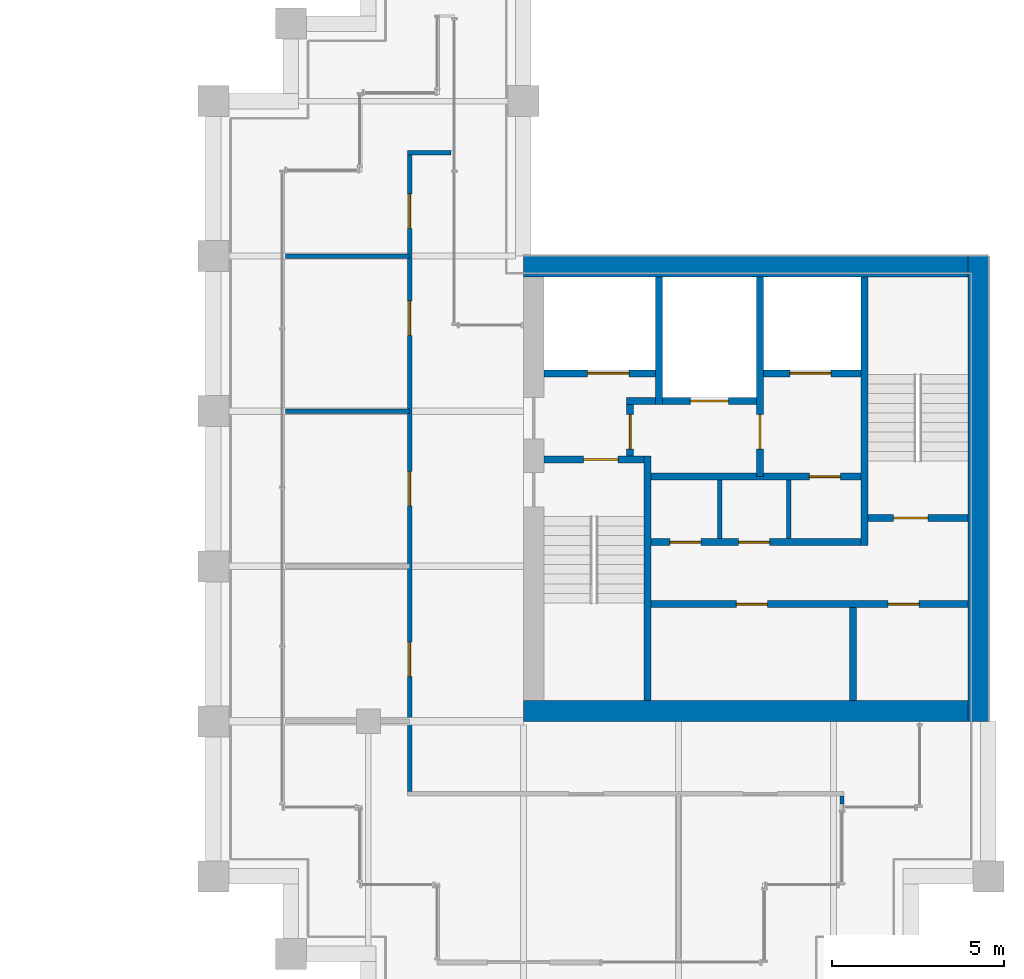
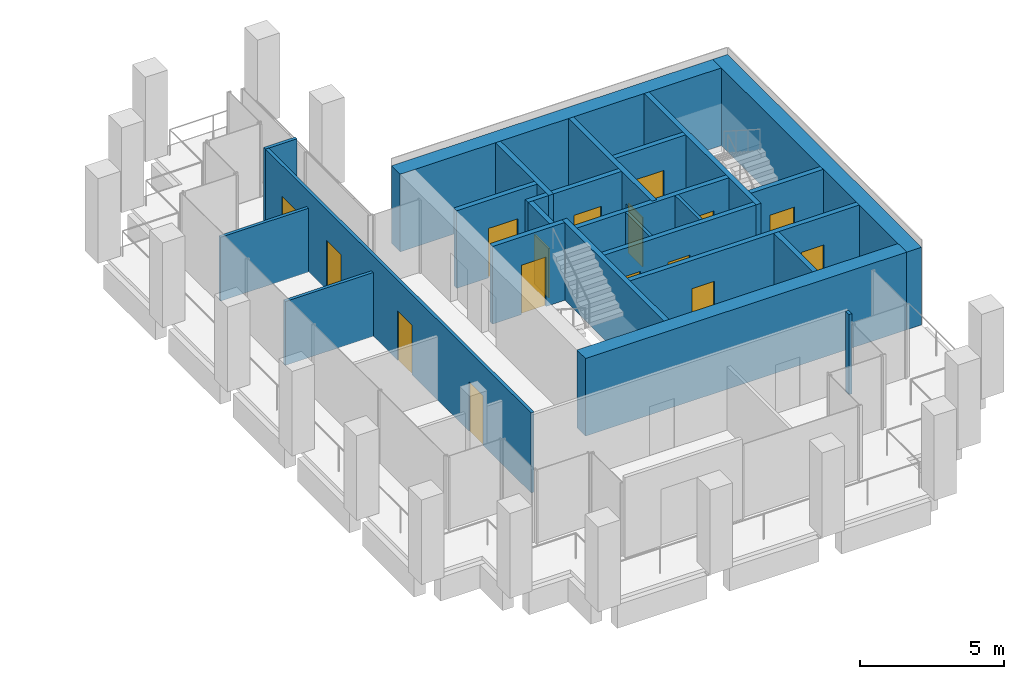
# One storey, part 38 of 40: 25 walls, 16 doors, 16 openings.
"""IFC4 building model written with IfcOpenShell, lengths in metres."""

from ifc_helpers import new_model, si_unit, direction, frame, frame_2d, origin, place, context, subcontext, project, spatial, rectangle, extrude, material, layer, layer_set, type_object, element, fill, save


model = new_model("IFC4")

# Units and contexts
model_context = context("Model", 3, precision=1e-05, world=origin(), true_north=direction((0.0, 1.0)))
body_context = subcontext(model_context, "Body", "Model", "MODEL_VIEW")
ifc_project = project(units=[si_unit("LENGTHUNIT", "METRE"), si_unit("AREAUNIT", "SQUARE_METRE"), si_unit("VOLUMEUNIT", "CUBIC_METRE"), si_unit("PLANEANGLEUNIT", "RADIAN"), si_unit("MASSUNIT", "GRAM", prefix="KILO")], contexts=[model_context])

# Site, building, storey
site_placement = place(None, origin())
site = spatial("IfcSite", under=ifc_project, at=site_placement, CompositionType="ELEMENT")
building_placement = place(site_placement, origin())
building = spatial("IfcBuilding", under=site, at=building_placement, Name="Altepetl Exchange Towers", CompositionType="ELEMENT")
storey_placement = place(building_placement, frame((0.0, 0.0, 187.0)))
storey = spatial("IfcBuildingStorey", under=building, at=storey_placement, Name="L47", CompositionType="ELEMENT", Elevation=187.0)

# Walls
ifc_material_1 = material(Name="Concrete C70/85", Category="concrete")
ifc_layer_1 = layer(ifc_material_1, 0.60009765625)
ifc_layer_set_1 = layer_set([ifc_layer_1], Name="Concrete C70/85")
wall_type_1 = type_object("IfcWallType", Name="Core wall 600 reinforced concrete", PredefinedType="SHEAR", material=ifc_layer_set_1)
wall_1_placement = place(storey_placement, frame((103.5, 36.300048828125, 0.0)))
element("IfcWall", 1, at=wall_1_placement, inside=storey, type_object=wall_type_1, Name="wall:B:L47:K-coreS", PredefinedType="SHEAR", context=body_context, shape_type="SweptSolid", body=[
    extrude(rectangle(XDim=12.89990234375, YDim=0.60009765625, at=frame_2d((6.449951171875, 0.0))), origin(), (0.0, 0.0, 1.0), 3.300048828125),
])
ifc_layer_2 = layer(ifc_material_1, 0.60009765625)
ifc_layer_set_2 = layer_set([ifc_layer_2], Name="Concrete C70/85")
wall_type_2 = type_object("IfcWallType", Name="Core wall 600 reinforced concrete external", PredefinedType="SHEAR", material=ifc_layer_set_2)
wall_2_placement = place(storey_placement, frame((116.699951171875, 36.0, 0.0), z_axis=(0.0, 0.0, 1.0), x_axis=(0.0, 1.0, 0.0)))
element("IfcWall", 2, at=wall_2_placement, inside=storey, type_object=wall_type_2, Name="wall:B:L47:K-coreE", PredefinedType="SHEAR", context=body_context, shape_type="SweptSolid", body=[
    extrude(rectangle(XDim=13.5, YDim=0.60009765625, at=frame_2d((6.75, 0.0))), origin(), (0.0, 0.0, 1.0), 3.300048828125),
])
wall_3_placement = place(storey_placement, frame((103.5, 49.199951171875, 0.0)))
element("IfcWall", 3, at=wall_3_placement, inside=storey, type_object=wall_type_2, Name="wall:B:L47:K-coreN", PredefinedType="SHEAR", context=body_context, shape_type="SweptSolid", body=[
    extrude(rectangle(XDim=12.89990234375, YDim=0.60009765625, at=frame_2d((6.449951171875, 0.0))), origin(), (0.0, 0.0, 1.0), 3.300048828125),
])
ifc_material_2 = material(Name="Concrete blockwork", Category="masonry")
ifc_layer_3 = layer(ifc_material_2, 0.199951171875)
ifc_layer_set_3 = layer_set([ifc_layer_3], Name="Concrete blockwork")
wall_type_3 = type_object("IfcWallType", Name="Lobby wall 200 blockwork", PredefinedType="PARTITIONING", material=ifc_layer_set_3)
wall_4_placement = place(storey_placement, frame((106.5, 45.300048828125, 0.0)))
element("IfcWall", 4, at=wall_4_placement, inside=storey, type_object=wall_type_3, Name="wall:B:L47:K-ffNw", PredefinedType="PARTITIONING", context=body_context, shape_type="SweptSolid", body=[
    extrude(rectangle(XDim=0.833251953125, YDim=0.199951171875, at=frame_2d((0.41650390625, 0.0))), origin(), (0.0, 0.0, 1.0), 3.300048828125),
])

# Wall, opening, door
wall_5_placement = place(storey_placement, frame((106.60009765625, 43.699951171875, 0.0), z_axis=(0.0, 0.0, 1.0), x_axis=(0.0, 1.0, 0.0)))
wall_5 = element("IfcWall", 5, at=wall_5_placement, inside=storey, type_object=wall_type_3, Name="wall:B:L47:K-ffW", PredefinedType="PARTITIONING", context=body_context, shape_type="SweptSolid", body=[
    extrude(rectangle(XDim=1.5, YDim=0.199951171875, at=frame_2d((0.75, 0.0))), origin(), (0.0, 0.0, 1.0), 3.300048828125),
])
opening_1_placement = place(wall_5_placement, frame((0.199951171875, 0.0, 0.0)))
opening_1 = element("IfcOpeningElement", 6, at=opening_1_placement, cuts=wall_5, Name="Opening L47.B65", PredefinedType="OPENING", context=body_context, shape_type="SweptSolid", body=[
    extrude(rectangle(XDim=1.0, YDim=2.10009765625, at=frame_2d((0.5, 1.050048828125))), frame((0.0, 0.10986328125, 0.0), z_axis=(0.0, -1.0, 0.0), x_axis=(1.0, 0.0, 0.0)), (0.0, 0.0, 1.0), 0.219970703125),
])
ifc_material_3 = material(Name="Steel and timber fire door", Category="steel")
door_type_1 = type_object("IfcDoorType", Name="Fire door 1000 x 2100 stair and lobby", OperationType="SINGLE_SWING_LEFT", PredefinedType="DOOR", material=ifc_material_3)
door_1_placement = place(opening_1_placement, frame((1.0, 0.0, 0.0), x_axis=(-1.0, 0.0, 0.0)))
door_1 = element("IfcDoor", 7, at=door_1_placement, inside=storey, type_object=door_type_1, Name="door:B:L47:K-dffW", OperationType="SINGLE_SWING_LEFT", OverallHeight=2.10009765625, OverallWidth=1.0, PredefinedType="DOOR", context=body_context, shape_type="SweptSolid", body=[
    extrude(rectangle(XDim=1.0, YDim=2.10009765625, at=frame_2d((0.5, 1.050048828125))), frame((0.0, 0.02490234375, 0.0), z_axis=(0.0, -1.0, 0.0), x_axis=(1.0, 0.0, 0.0)), (0.0, 0.0, 1.0), 0.050048828125),
])
fill(opening_1, door_1)

wall_6_placement = place(storey_placement, frame((107.199951171875, 43.10009765625, 0.0)))
wall_6 = element("IfcWall", 8, at=wall_6_placement, inside=storey, type_object=wall_type_3, Name="wall:B:L47:K-zoneN", PredefinedType="PARTITIONING", context=body_context, shape_type="SweptSolid", body=[
    extrude(rectangle(XDim=6.10009765625, YDim=0.199951171875, at=frame_2d((3.050048828125, 0.0))), origin(), (0.0, 0.0, 1.0), 3.300048828125),
])
opening_2_placement = place(wall_6_placement, frame((4.60009765625, 0.0, 0.0)))
opening_2 = element("IfcOpeningElement", 9, at=opening_2_placement, cuts=wall_6, Name="Opening L47.B70", PredefinedType="OPENING", context=body_context, shape_type="SweptSolid", body=[
    extrude(rectangle(XDim=0.89990234375, YDim=2.10009765625, at=frame_2d((0.449951171875, 1.050048828125))), frame((0.0, 0.10986328125, 0.0), z_axis=(0.0, -1.0, 0.0), x_axis=(1.0, 0.0, 0.0)), (0.0, 0.0, 1.0), 0.219970703125),
])
door_type_2 = type_object("IfcDoorType", Name="Fire door 900 x 2100 service room", OperationType="SINGLE_SWING_LEFT", PredefinedType="DOOR", material=ifc_material_3)
door_2_placement = place(opening_2_placement, frame((0.89990234375, 0.0, 0.0), x_axis=(-1.0, 0.0, 0.0)))
door_2 = element("IfcDoor", 10, at=door_2_placement, inside=storey, type_object=door_type_2, Name="door:B:L47:K-dz3", OperationType="SINGLE_SWING_LEFT", OverallHeight=2.10009765625, OverallWidth=0.89990234375, PredefinedType="DOOR", context=body_context, shape_type="SweptSolid", body=[
    extrude(rectangle(XDim=0.89990234375, YDim=2.10009765625, at=frame_2d((0.449951171875, 1.050048828125))), frame((0.0, 0.02490234375, 0.0), z_axis=(0.0, -1.0, 0.0), x_axis=(1.0, 0.0, 0.0)), (0.0, 0.0, 1.0), 0.050048828125),
])
fill(opening_2, door_2)

# Wall, openings, doors
wall_7_placement = place(storey_placement, frame((107.199951171875, 41.199951171875, 0.0)))
wall_7 = element("IfcWall", 11, at=wall_7_placement, inside=storey, type_object=wall_type_3, Name="wall:B:L47:K-zoneS", PredefinedType="PARTITIONING", context=body_context, shape_type="SweptSolid", body=[
    extrude(rectangle(XDim=6.10009765625, YDim=0.199951171875, at=frame_2d((3.050048828125, 0.0))), origin(), (0.0, 0.0, 1.0), 3.300048828125),
])
opening_3_placement = place(wall_7_placement, frame((0.550048828125, 0.0, 0.0)))
opening_3 = element("IfcOpeningElement", 12, at=opening_3_placement, cuts=wall_7, Name="Opening L47.B68", PredefinedType="OPENING", context=body_context, shape_type="SweptSolid", body=[
    extrude(rectangle(XDim=0.89990234375, YDim=2.10009765625, at=frame_2d((0.449951171875, 1.050048828125))), frame((0.0, 0.10986328125, 0.0), z_axis=(0.0, -1.0, 0.0), x_axis=(1.0, 0.0, 0.0)), (0.0, 0.0, 1.0), 0.219970703125),
])
opening_4_placement = place(wall_7_placement, frame((2.550048828125, 0.0, 0.0)))
opening_4 = element("IfcOpeningElement", 13, at=opening_4_placement, cuts=wall_7, Name="Opening L47.B69", PredefinedType="OPENING", context=body_context, shape_type="SweptSolid", body=[
    extrude(rectangle(XDim=0.89990234375, YDim=2.10009765625, at=frame_2d((0.449951171875, 1.050048828125))), frame((0.0, 0.10986328125, 0.0), z_axis=(0.0, -1.0, 0.0), x_axis=(1.0, 0.0, 0.0)), (0.0, 0.0, 1.0), 0.219970703125),
])
door_3_placement = place(opening_3_placement, origin())
door_3 = element("IfcDoor", 14, at=door_3_placement, inside=storey, type_object=door_type_2, Name="door:B:L47:K-dz1", OperationType="SINGLE_SWING_RIGHT", OverallHeight=2.10009765625, OverallWidth=0.89990234375, PredefinedType="DOOR", context=body_context, shape_type="SweptSolid", body=[
    extrude(rectangle(XDim=0.89990234375, YDim=2.10009765625, at=frame_2d((0.449951171875, 1.050048828125))), frame((0.0, 0.02490234375, 0.0), z_axis=(0.0, -1.0, 0.0), x_axis=(1.0, 0.0, 0.0)), (0.0, 0.0, 1.0), 0.050048828125),
])
fill(opening_3, door_3)
door_4_placement = place(opening_4_placement, origin())
door_4 = element("IfcDoor", 15, at=door_4_placement, inside=storey, type_object=door_type_2, Name="door:B:L47:K-dz2", OperationType="SINGLE_SWING_LEFT", OverallHeight=2.10009765625, OverallWidth=0.89990234375, PredefinedType="DOOR", context=body_context, shape_type="SweptSolid", body=[
    extrude(rectangle(XDim=0.89990234375, YDim=2.10009765625, at=frame_2d((0.449951171875, 1.050048828125))), frame((0.0, 0.02490234375, 0.0), z_axis=(0.0, -1.0, 0.0), x_axis=(1.0, 0.0, 0.0)), (0.0, 0.0, 1.0), 0.050048828125),
])
fill(opening_4, door_4)

# Walls
ifc_material_4 = material(Name="Gypsum board on steel studs", Category="steel")
ifc_layer_4 = layer(ifc_material_4, 0.125)
ifc_layer_set_4 = layer_set([ifc_layer_4], Name="Gypsum board on steel studs")
wall_type_4 = type_object("IfcWallType", Name="Partition 125 gypsum board on steel studs", PredefinedType="PARTITIONING", material=ifc_layer_set_4)
for number, where, z_axis, x_axis, name in (
    (16, (109.199951171875, 41.300048828125, 0.0), (0.0, 0.0, 1.0), (0.0, 1.0, 0.0), "wall:B:L47:K-zp1"),
    (17, (111.199951171875, 41.300048828125, 0.0), (0.0, 0.0, 1.0), (0.0, 1.0, 0.0), "wall:B:L47:K-zp2"),
):
    element("IfcWall", number, at=place(storey_placement, frame(where, z_axis=z_axis, x_axis=x_axis)), inside=storey, type_object=wall_type_4, Name=name, PredefinedType="PARTITIONING", context=body_context, shape_type="SweptSolid", body=[
        extrude(rectangle(XDim=1.699951171875, YDim=0.125, at=frame_2d((0.85009765625, 0.0))), origin(), (0.0, 0.0, 1.0), 3.300048828125),
    ])
for number, where, name in (
    (18, (96.60009765625, 45.0, 0.0), "wall:B:L47:P05"),
    (19, (96.60009765625, 49.5, 0.0), "wall:B:L47:P06"),
):
    element("IfcWall", number, at=place(storey_placement, frame(where)), inside=storey, type_object=wall_type_4, Name=name, PredefinedType="PARTITIONING", context=body_context, shape_type="SweptSolid", body=[
        extrude(rectangle(XDim=3.599853515625, YDim=0.125, at=frame_2d((1.7998046875, 0.0))), origin(), (0.0, 0.0, 1.0), 2.7119140625),
    ])
wall_8_placement = place(storey_placement, frame((100.137451171875, 52.5, 0.0)))
element("IfcWall", 20, at=wall_8_placement, inside=storey, type_object=wall_type_4, Name="wall:B:L47:P07", PredefinedType="PARTITIONING", context=body_context, shape_type="SweptSolid", body=[
    extrude(rectangle(XDim=1.262451171875, YDim=0.125, at=frame_2d((0.63134765625, 0.0))), origin(), (0.0, 0.0, 1.0), 3.39990234375),
])

# Wall, openings, doors
wall_9_placement = place(storey_placement, frame((100.199951171875, 33.96240234375, 0.0), z_axis=(0.0, 0.0, 1.0), x_axis=(0.0, 1.0, 0.0)))
wall_9 = element("IfcWall", 21, at=wall_9_placement, inside=storey, type_object=wall_type_4, Name="wall:B:L47:P08", PredefinedType="PARTITIONING", context=body_context, shape_type="SweptSolid", body=[
    extrude(rectangle(XDim=18.47509765625, YDim=0.125, at=frame_2d((9.237548828125, 0.0))), origin(), (0.0, 0.0, 1.0), 3.39990234375),
])
opening_5_placement = place(wall_9_placement, frame((8.28759765625, 0.0, 0.0)))
opening_5 = element("IfcOpeningElement", 22, at=opening_5_placement, cuts=wall_9, Name="Opening L47.B01", PredefinedType="OPENING", context=body_context, shape_type="SweptSolid", body=[
    extrude(rectangle(XDim=1.0, YDim=2.10009765625, at=frame_2d((0.5, 1.050048828125))), frame((0.0, 0.072509765625, 0.0), z_axis=(0.0, -1.0, 0.0), x_axis=(1.0, 0.0, 0.0)), (0.0, 0.0, 1.0), 0.14501953125),
])
opening_6_placement = place(wall_9_placement, frame((3.33251953125, 0.0, 0.0)))
opening_6 = element("IfcOpeningElement", 23, at=opening_6_placement, cuts=wall_9, Name="Opening L47.B02", PredefinedType="OPENING", context=body_context, shape_type="SweptSolid", body=[
    extrude(rectangle(XDim=1.0, YDim=2.10009765625, at=frame_2d((0.5, 1.050048828125))), frame((0.0, 0.072509765625, 0.0), z_axis=(0.0, -1.0, 0.0), x_axis=(1.0, 0.0, 0.0)), (0.0, 0.0, 1.0), 0.14501953125),
])
opening_7_placement = place(wall_9_placement, frame((16.344482421875, 0.0, 0.0)))
opening_7 = element("IfcOpeningElement", 24, at=opening_7_placement, cuts=wall_9, Name="Opening L47.B05", PredefinedType="OPENING", context=body_context, shape_type="SweptSolid", body=[
    extrude(rectangle(XDim=1.0, YDim=2.10009765625, at=frame_2d((0.5, 1.050048828125))), frame((0.0, 0.072509765625, 0.0), z_axis=(0.0, -1.0, 0.0), x_axis=(1.0, 0.0, 0.0)), (0.0, 0.0, 1.0), 0.14501953125),
])
opening_8_placement = place(wall_9_placement, frame((13.242431640625, 0.0, 0.0)))
opening_8 = element("IfcOpeningElement", 25, at=opening_8_placement, cuts=wall_9, Name="Opening L47.B06", PredefinedType="OPENING", context=body_context, shape_type="SweptSolid", body=[
    extrude(rectangle(XDim=1.0, YDim=2.10009765625, at=frame_2d((0.5, 1.050048828125))), frame((0.0, 0.072509765625, 0.0), z_axis=(0.0, -1.0, 0.0), x_axis=(1.0, 0.0, 0.0)), (0.0, 0.0, 1.0), 0.14501953125),
])
door_type_3 = type_object("IfcDoorType", Name="Fire door 1000 x 2100 single leaf", OperationType="SINGLE_SWING_LEFT", PredefinedType="DOOR", material=ifc_material_3)
door_5_placement = place(opening_5_placement, origin())
door_5 = element("IfcDoor", 26, at=door_5_placement, inside=storey, type_object=door_type_3, Name="door:B:L47:01", OperationType="SINGLE_SWING_RIGHT", OverallHeight=2.10009765625, OverallWidth=1.0, PredefinedType="DOOR", context=body_context, shape_type="SweptSolid", body=[
    extrude(rectangle(XDim=1.0, YDim=2.10009765625, at=frame_2d((0.5, 1.050048828125))), frame((0.0, 0.02490234375, 0.0), z_axis=(0.0, -1.0, 0.0), x_axis=(1.0, 0.0, 0.0)), (0.0, 0.0, 1.0), 0.050048828125),
])
fill(opening_5, door_5)
door_6_placement = place(opening_6_placement, origin())
door_6 = element("IfcDoor", 27, at=door_6_placement, inside=storey, type_object=door_type_3, Name="door:B:L47:02", OperationType="SINGLE_SWING_LEFT", OverallHeight=2.10009765625, OverallWidth=1.0, PredefinedType="DOOR", context=body_context, shape_type="SweptSolid", body=[
    extrude(rectangle(XDim=1.0, YDim=2.10009765625, at=frame_2d((0.5, 1.050048828125))), frame((0.0, 0.02490234375, 0.0), z_axis=(0.0, -1.0, 0.0), x_axis=(1.0, 0.0, 0.0)), (0.0, 0.0, 1.0), 0.050048828125),
])
fill(opening_6, door_6)
door_7_placement = place(opening_7_placement, origin())
door_7 = element("IfcDoor", 28, at=door_7_placement, inside=storey, type_object=door_type_3, Name="door:B:L47:05", OperationType="SINGLE_SWING_RIGHT", OverallHeight=2.10009765625, OverallWidth=1.0, PredefinedType="DOOR", context=body_context, shape_type="SweptSolid", body=[
    extrude(rectangle(XDim=1.0, YDim=2.10009765625, at=frame_2d((0.5, 1.050048828125))), frame((0.0, 0.02490234375, 0.0), z_axis=(0.0, -1.0, 0.0), x_axis=(1.0, 0.0, 0.0)), (0.0, 0.0, 1.0), 0.050048828125),
])
fill(opening_7, door_7)
door_8_placement = place(opening_8_placement, origin())
door_8 = element("IfcDoor", 29, at=door_8_placement, inside=storey, type_object=door_type_3, Name="door:B:L47:06", OperationType="SINGLE_SWING_LEFT", OverallHeight=2.10009765625, OverallWidth=1.0, PredefinedType="DOOR", context=body_context, shape_type="SweptSolid", body=[
    extrude(rectangle(XDim=1.0, YDim=2.10009765625, at=frame_2d((0.5, 1.050048828125))), frame((0.0, 0.02490234375, 0.0), z_axis=(0.0, -1.0, 0.0), x_axis=(1.0, 0.0, 0.0)), (0.0, 0.0, 1.0), 0.050048828125),
])
fill(opening_8, door_8)

# Walls
wall_10_placement = place(storey_placement, frame((112.75, 33.60009765625, 0.0), z_axis=(0.0, 0.0, 1.0), x_axis=(0.0, 1.0, 0.0)))
element("IfcWall", 30, at=wall_10_placement, inside=storey, type_object=wall_type_4, Name="wall:B:L47:P10", PredefinedType="PARTITIONING", context=body_context, shape_type="SweptSolid", body=[
    extrude(rectangle(XDim=0.2373046875, YDim=0.125, at=frame_2d((0.11865234375, 0.0))), origin(), (0.0, 0.0, 1.0), 3.39990234375),
])
ifc_material_5 = material(Name="Concrete C40/50", Category="concrete")
ifc_layer_5 = layer(ifc_material_5, 0.199951171875)
ifc_layer_set_5 = layer_set([ifc_layer_5], Name="Concrete C40/50")
wall_type_5 = type_object("IfcWallType", Name="Shaft wall 200 reinforced concrete", PredefinedType="SHEAR", material=ifc_layer_set_5)
wall_11_placement = place(storey_placement, frame((107.433349609375, 48.89990234375, 0.0), z_axis=(0.0, 0.0, 1.0), x_axis=(0.0, -1.0, 0.0)))
element("IfcWall", 31, at=wall_11_placement, inside=storey, type_object=wall_type_5, Name="wall:B:L47:K-divN1", PredefinedType="SHEAR", context=body_context, shape_type="SweptSolid", body=[
    extrude(rectangle(XDim=3.699951171875, YDim=0.199951171875, at=frame_2d((1.85009765625, 0.0))), origin(), (0.0, 0.0, 1.0), 3.300048828125),
])

# Wall, opening, door
wall_12_placement = place(storey_placement, frame((110.36669921875, 48.89990234375, 0.0), z_axis=(0.0, 0.0, 1.0), x_axis=(0.0, -1.0, 0.0)))
wall_12 = element("IfcWall", 32, at=wall_12_placement, inside=storey, type_object=wall_type_5, Name="wall:B:L47:K-divN2", PredefinedType="SHEAR", context=body_context, shape_type="SweptSolid", body=[
    extrude(rectangle(XDim=5.7998046875, YDim=0.199951171875, at=frame_2d((2.89990234375, 0.0))), origin(), (0.0, 0.0, 1.0), 3.300048828125),
])
opening_9_placement = place(wall_12_placement, frame((4.0, 0.0, 0.0)))
opening_9 = element("IfcOpeningElement", 33, at=opening_9_placement, cuts=wall_12, Name="Opening L47.B64", PredefinedType="OPENING", context=body_context, shape_type="SweptSolid", body=[
    extrude(rectangle(XDim=1.0, YDim=2.10009765625, at=frame_2d((0.5, 1.050048828125))), frame((0.0, 0.10986328125, 0.0), z_axis=(0.0, -1.0, 0.0), x_axis=(1.0, 0.0, 0.0)), (0.0, 0.0, 1.0), 0.219970703125),
])
door_9_placement = place(opening_9_placement, frame((1.0, 0.0, 0.0), x_axis=(-1.0, 0.0, 0.0)))
door_9 = element("IfcDoor", 34, at=door_9_placement, inside=storey, type_object=door_type_1, Name="door:B:L47:K-dffE", OperationType="SINGLE_SWING_RIGHT", OverallHeight=2.10009765625, OverallWidth=1.0, PredefinedType="DOOR", context=body_context, shape_type="SweptSolid", body=[
    extrude(rectangle(XDim=1.0, YDim=2.10009765625, at=frame_2d((0.5, 1.050048828125))), frame((0.0, 0.02490234375, 0.0), z_axis=(0.0, -1.0, 0.0), x_axis=(1.0, 0.0, 0.0)), (0.0, 0.0, 1.0), 0.050048828125),
])
fill(opening_9, door_9)

wall_13_placement = place(storey_placement, frame((104.10009765625, 46.10009765625, 0.0)))
wall_13 = element("IfcWall", 35, at=wall_13_placement, inside=storey, type_object=wall_type_5, Name="wall:B:L47:K-frontNa", PredefinedType="SHEAR", context=body_context, shape_type="SweptSolid", body=[
    extrude(rectangle(XDim=3.233154296875, YDim=0.199951171875, at=frame_2d((1.61669921875, 0.0))), origin(), (0.0, 0.0, 1.0), 3.300048828125),
])
opening_10_placement = place(wall_13_placement, frame((1.2666015625, 0.0, 0.0)))
opening_10 = element("IfcOpeningElement", 36, at=opening_10_placement, cuts=wall_13, Name="Opening L47.B72", PredefinedType="OPENING", context=body_context, shape_type="SweptSolid", body=[
    extrude(rectangle(XDim=1.199951171875, YDim=2.10009765625, at=frame_2d((0.60009765625, 1.050048828125))), frame((0.0, 0.10986328125, 0.0), z_axis=(0.0, -1.0, 0.0), x_axis=(1.0, 0.0, 0.0)), (0.0, 0.0, 1.0), 0.219970703125),
])
ifc_material_6 = material(Name="Stainless steel", Category="steel")
door_type_4 = type_object("IfcDoorType", Name="Lift landing door 1200 x 2100", OperationType="SLIDING_TO_LEFT", PredefinedType="DOOR", material=ifc_material_6)
door_10_placement = place(opening_10_placement, origin())
door_10 = element("IfcDoor", 37, at=door_10_placement, inside=storey, type_object=door_type_4, Name="Landing door P4", OperationType="SLIDING_TO_LEFT", OverallHeight=2.10009765625, OverallWidth=1.199951171875, PredefinedType="DOOR", context=body_context, shape_type="SweptSolid", body=[
    extrude(rectangle(XDim=1.199951171875, YDim=2.10009765625, at=frame_2d((0.60009765625, 1.050048828125))), frame((0.0, 0.02490234375, 0.0), z_axis=(0.0, -1.0, 0.0), x_axis=(1.0, 0.0, 0.0)), (0.0, 0.0, 1.0), 0.050048828125),
])
fill(opening_10, door_10)

wall_14_placement = place(storey_placement, frame((110.466796875, 46.10009765625, 0.0)))
wall_14 = element("IfcWall", 38, at=wall_14_placement, inside=storey, type_object=wall_type_5, Name="wall:B:L47:K-frontNb", PredefinedType="SHEAR", context=body_context, shape_type="SweptSolid", body=[
    extrude(rectangle(XDim=2.833251953125, YDim=0.199951171875, at=frame_2d((1.41650390625, 0.0))), origin(), (0.0, 0.0, 1.0), 3.300048828125),
])
opening_11_placement = place(wall_14_placement, frame((0.7666015625, 0.0, 0.0)))
opening_11 = element("IfcOpeningElement", 39, at=opening_11_placement, cuts=wall_14, Name="Opening L47.B73", PredefinedType="OPENING", context=body_context, shape_type="SweptSolid", body=[
    extrude(rectangle(XDim=1.199951171875, YDim=2.10009765625, at=frame_2d((0.60009765625, 1.050048828125))), frame((0.0, 0.10986328125, 0.0), z_axis=(0.0, -1.0, 0.0), x_axis=(1.0, 0.0, 0.0)), (0.0, 0.0, 1.0), 0.219970703125),
])
door_11_placement = place(opening_11_placement, origin())
door_11 = element("IfcDoor", 40, at=door_11_placement, inside=storey, type_object=door_type_4, Name="Landing door P5", OperationType="SLIDING_TO_LEFT", OverallHeight=2.10009765625, OverallWidth=1.199951171875, PredefinedType="DOOR", context=body_context, shape_type="SweptSolid", body=[
    extrude(rectangle(XDim=1.199951171875, YDim=2.10009765625, at=frame_2d((0.60009765625, 1.050048828125))), frame((0.0, 0.02490234375, 0.0), z_axis=(0.0, -1.0, 0.0), x_axis=(1.0, 0.0, 0.0)), (0.0, 0.0, 1.0), 0.050048828125),
])
fill(opening_11, door_11)

wall_15_placement = place(storey_placement, frame((107.533203125, 45.300048828125, 0.0)))
wall_15 = element("IfcWall", 41, at=wall_15_placement, inside=storey, type_object=wall_type_5, Name="wall:B:L47:K-frontNd", PredefinedType="SHEAR", context=body_context, shape_type="SweptSolid", body=[
    extrude(rectangle(XDim=2.7333984375, YDim=0.199951171875, at=frame_2d((1.36669921875, 0.0))), origin(), (0.0, 0.0, 1.0), 3.300048828125),
])
opening_12_placement = place(wall_15_placement, frame((0.816650390625, 0.0, 0.0)))
opening_12 = element("IfcOpeningElement", 42, at=opening_12_placement, cuts=wall_15, Name="Opening L47.B71", PredefinedType="OPENING", context=body_context, shape_type="SweptSolid", body=[
    extrude(rectangle(XDim=1.10009765625, YDim=2.10009765625, at=frame_2d((0.550048828125, 1.050048828125))), frame((0.0, 0.10986328125, 0.0), z_axis=(0.0, -1.0, 0.0), x_axis=(1.0, 0.0, 0.0)), (0.0, 0.0, 1.0), 0.219970703125),
])
door_type_5 = type_object("IfcDoorType", Name="Lift landing door 1100 x 2100", OperationType="SLIDING_TO_LEFT", PredefinedType="DOOR", material=ifc_material_6)
door_12_placement = place(opening_12_placement, origin())
door_12 = element("IfcDoor", 43, at=door_12_placement, inside=storey, type_object=door_type_5, Name="Landing door FFL1", OperationType="SLIDING_TO_LEFT", OverallHeight=2.10009765625, OverallWidth=1.10009765625, PredefinedType="DOOR", context=body_context, shape_type="SweptSolid", body=[
    extrude(rectangle(XDim=1.10009765625, YDim=2.10009765625, at=frame_2d((0.550048828125, 1.050048828125))), frame((0.0, 0.02490234375, 0.0), z_axis=(0.0, -1.0, 0.0), x_axis=(1.0, 0.0, 0.0)), (0.0, 0.0, 1.0), 0.050048828125),
])
fill(opening_12, door_12)

# Wall, openings, doors
wall_16_placement = place(storey_placement, frame((107.199951171875, 39.39990234375, 0.0)))
wall_16 = element("IfcWall", 44, at=wall_16_placement, inside=storey, type_object=wall_type_5, Name="wall:B:L47:K-frontS", PredefinedType="SHEAR", context=body_context, shape_type="SweptSolid", body=[
    extrude(rectangle(XDim=9.199951171875, YDim=0.199951171875, at=frame_2d((4.60009765625, 0.0))), origin(), (0.0, 0.0, 1.0), 3.300048828125),
])
opening_13_placement = place(wall_16_placement, frame((2.4833984375, 0.0, 0.0)))
opening_13 = element("IfcOpeningElement", 45, at=opening_13_placement, cuts=wall_16, Name="Opening L47.B66", PredefinedType="OPENING", context=body_context, shape_type="SweptSolid", body=[
    extrude(rectangle(XDim=0.89990234375, YDim=2.10009765625, at=frame_2d((0.449951171875, 1.050048828125))), frame((0.0, 0.10986328125, 0.0), z_axis=(0.0, -1.0, 0.0), x_axis=(1.0, 0.0, 0.0)), (0.0, 0.0, 1.0), 0.219970703125),
])
opening_14_placement = place(wall_16_placement, frame((6.88330078125, 0.0, 0.0)))
opening_14 = element("IfcOpeningElement", 46, at=opening_14_placement, cuts=wall_16, Name="Opening L47.B67", PredefinedType="OPENING", context=body_context, shape_type="SweptSolid", body=[
    extrude(rectangle(XDim=0.89990234375, YDim=2.10009765625, at=frame_2d((0.449951171875, 1.050048828125))), frame((0.0, 0.10986328125, 0.0), z_axis=(0.0, -1.0, 0.0), x_axis=(1.0, 0.0, 0.0)), (0.0, 0.0, 1.0), 0.219970703125),
])
door_13_placement = place(opening_13_placement, frame((0.89990234375, 0.0, 0.0), x_axis=(-1.0, 0.0, 0.0)))
door_13 = element("IfcDoor", 47, at=door_13_placement, inside=storey, type_object=door_type_2, Name="door:B:L47:K-dslotS0", OperationType="SINGLE_SWING_LEFT", OverallHeight=2.10009765625, OverallWidth=0.89990234375, PredefinedType="DOOR", context=body_context, shape_type="SweptSolid", body=[
    extrude(rectangle(XDim=0.89990234375, YDim=2.10009765625, at=frame_2d((0.449951171875, 1.050048828125))), frame((0.0, 0.02490234375, 0.0), z_axis=(0.0, -1.0, 0.0), x_axis=(1.0, 0.0, 0.0)), (0.0, 0.0, 1.0), 0.050048828125),
])
fill(opening_13, door_13)
door_14_placement = place(opening_14_placement, frame((0.89990234375, 0.0, 0.0), x_axis=(-1.0, 0.0, 0.0)))
door_14 = element("IfcDoor", 48, at=door_14_placement, inside=storey, type_object=door_type_2, Name="door:B:L47:K-dslotS2", OperationType="SINGLE_SWING_LEFT", OverallHeight=2.10009765625, OverallWidth=0.89990234375, PredefinedType="DOOR", context=body_context, shape_type="SweptSolid", body=[
    extrude(rectangle(XDim=0.89990234375, YDim=2.10009765625, at=frame_2d((0.449951171875, 1.050048828125))), frame((0.0, 0.02490234375, 0.0), z_axis=(0.0, -1.0, 0.0), x_axis=(1.0, 0.0, 0.0)), (0.0, 0.0, 1.0), 0.050048828125),
])
fill(opening_14, door_14)

# Walls
ifc_layer_6 = layer(ifc_material_1, 0.199951171875)
ifc_layer_set_6 = layer_set([ifc_layer_6], Name="Concrete C70/85")
wall_type_6 = type_object("IfcWallType", Name="Shear wall 200 reinforced concrete", PredefinedType="SHEAR", material=ifc_layer_set_6)
wall_17_placement = place(storey_placement, frame((113.066650390625, 36.60009765625, 0.0), z_axis=(0.0, 0.0, 1.0), x_axis=(0.0, 1.0, 0.0)))
element("IfcWall", 49, at=wall_17_placement, inside=storey, type_object=wall_type_6, Name="wall:B:L47:K-divS2", PredefinedType="SHEAR", context=body_context, shape_type="SweptSolid", body=[
    extrude(rectangle(XDim=2.699951171875, YDim=0.199951171875, at=frame_2d((1.35009765625, 0.0))), origin(), (0.0, 0.0, 1.0), 3.300048828125),
])
ifc_layer_7 = layer(ifc_material_5, 0.199951171875)
ifc_layer_set_7 = layer_set([ifc_layer_7], Name="Concrete C40/50")
wall_type_7 = type_object("IfcWallType", Name="Stair wall 200 reinforced concrete", PredefinedType="SHEAR", material=ifc_layer_set_7)
wall_18_placement = place(storey_placement, frame((107.10009765625, 36.60009765625, 0.0), z_axis=(0.0, 0.0, 1.0), x_axis=(0.0, 1.0, 0.0)))
element("IfcWall", 50, at=wall_18_placement, inside=storey, type_object=wall_type_7, Name="wall:B:L47:K-stS1E", PredefinedType="SHEAR", context=body_context, shape_type="SweptSolid", body=[
    extrude(rectangle(XDim=7.099853515625, YDim=0.199951171875, at=frame_2d((3.5498046875, 0.0))), origin(), (0.0, 0.0, 1.0), 3.300048828125),
])

# Wall, opening, door
wall_19_placement = place(storey_placement, frame((104.10009765625, 43.60009765625, 0.0)))
wall_19 = element("IfcWall", 51, at=wall_19_placement, inside=storey, type_object=wall_type_7, Name="wall:B:L47:K-stS1N", PredefinedType="SHEAR", context=body_context, shape_type="SweptSolid", body=[
    extrude(rectangle(XDim=2.89990234375, YDim=0.199951171875, at=frame_2d((1.449951171875, 0.0))), origin(), (0.0, 0.0, 1.0), 3.300048828125),
])
opening_15_placement = place(wall_19_placement, frame((1.14990234375, 0.0, 0.0)))
opening_15 = element("IfcOpeningElement", 52, at=opening_15_placement, cuts=wall_19, Name="Opening L47.B61", PredefinedType="OPENING", context=body_context, shape_type="SweptSolid", body=[
    extrude(rectangle(XDim=1.0, YDim=2.10009765625, at=frame_2d((0.5, 1.050048828125))), frame((0.0, 0.10986328125, 0.0), z_axis=(0.0, -1.0, 0.0), x_axis=(1.0, 0.0, 0.0)), (0.0, 0.0, 1.0), 0.219970703125),
])
door_15_placement = place(opening_15_placement, frame((1.0, 0.0, 0.0), x_axis=(-1.0, 0.0, 0.0)))
door_15 = element("IfcDoor", 53, at=door_15_placement, inside=storey, type_object=door_type_1, Name="door:B:L47:K-dS1in", OperationType="SINGLE_SWING_LEFT", OverallHeight=2.10009765625, OverallWidth=1.0, PredefinedType="DOOR", context=body_context, shape_type="SweptSolid", body=[
    extrude(rectangle(XDim=1.0, YDim=2.10009765625, at=frame_2d((0.5, 1.050048828125))), frame((0.0, 0.02490234375, 0.0), z_axis=(0.0, -1.0, 0.0), x_axis=(1.0, 0.0, 0.0)), (0.0, 0.0, 1.0), 0.050048828125),
])
fill(opening_15, door_15)

wall_20_placement = place(storey_placement, frame((113.5, 41.89990234375, 0.0)))
wall_20 = element("IfcWall", 54, at=wall_20_placement, inside=storey, type_object=wall_type_7, Name="wall:B:L47:K-stS2S", PredefinedType="SHEAR", context=body_context, shape_type="SweptSolid", body=[
    extrude(rectangle(XDim=2.89990234375, YDim=0.199951171875, at=frame_2d((1.449951171875, 0.0))), origin(), (0.0, 0.0, 1.0), 3.300048828125),
])
opening_16_placement = place(wall_20_placement, frame((0.75, 0.0, 0.0)))
opening_16 = element("IfcOpeningElement", 55, at=opening_16_placement, cuts=wall_20, Name="Opening L47.B63", PredefinedType="OPENING", context=body_context, shape_type="SweptSolid", body=[
    extrude(rectangle(XDim=1.0, YDim=2.10009765625, at=frame_2d((0.5, 1.050048828125))), frame((0.0, 0.10986328125, 0.0), z_axis=(0.0, -1.0, 0.0), x_axis=(1.0, 0.0, 0.0)), (0.0, 0.0, 1.0), 0.219970703125),
])
door_16_placement = place(opening_16_placement, origin())
door_16 = element("IfcDoor", 56, at=door_16_placement, inside=storey, type_object=door_type_1, Name="door:B:L47:K-dS2in", OperationType="SINGLE_SWING_RIGHT", OverallHeight=2.10009765625, OverallWidth=1.0, PredefinedType="DOOR", context=body_context, shape_type="SweptSolid", body=[
    extrude(rectangle(XDim=1.0, YDim=2.10009765625, at=frame_2d((0.5, 1.050048828125))), frame((0.0, 0.02490234375, 0.0), z_axis=(0.0, -1.0, 0.0), x_axis=(1.0, 0.0, 0.0)), (0.0, 0.0, 1.0), 0.050048828125),
])
fill(opening_16, door_16)

# Wall
wall_21_placement = place(storey_placement, frame((113.39990234375, 41.10009765625, 0.0), z_axis=(0.0, 0.0, 1.0), x_axis=(0.0, 1.0, 0.0)))
element("IfcWall", 57, at=wall_21_placement, inside=storey, type_object=wall_type_7, Name="wall:B:L47:K-stS2W", PredefinedType="SHEAR", context=body_context, shape_type="SweptSolid", body=[
    extrude(rectangle(XDim=7.7998046875, YDim=0.199951171875, at=frame_2d((3.89990234375, 0.0))), origin(), (0.0, 0.0, 1.0), 3.300048828125),
])

save(model, "model.ifc")
